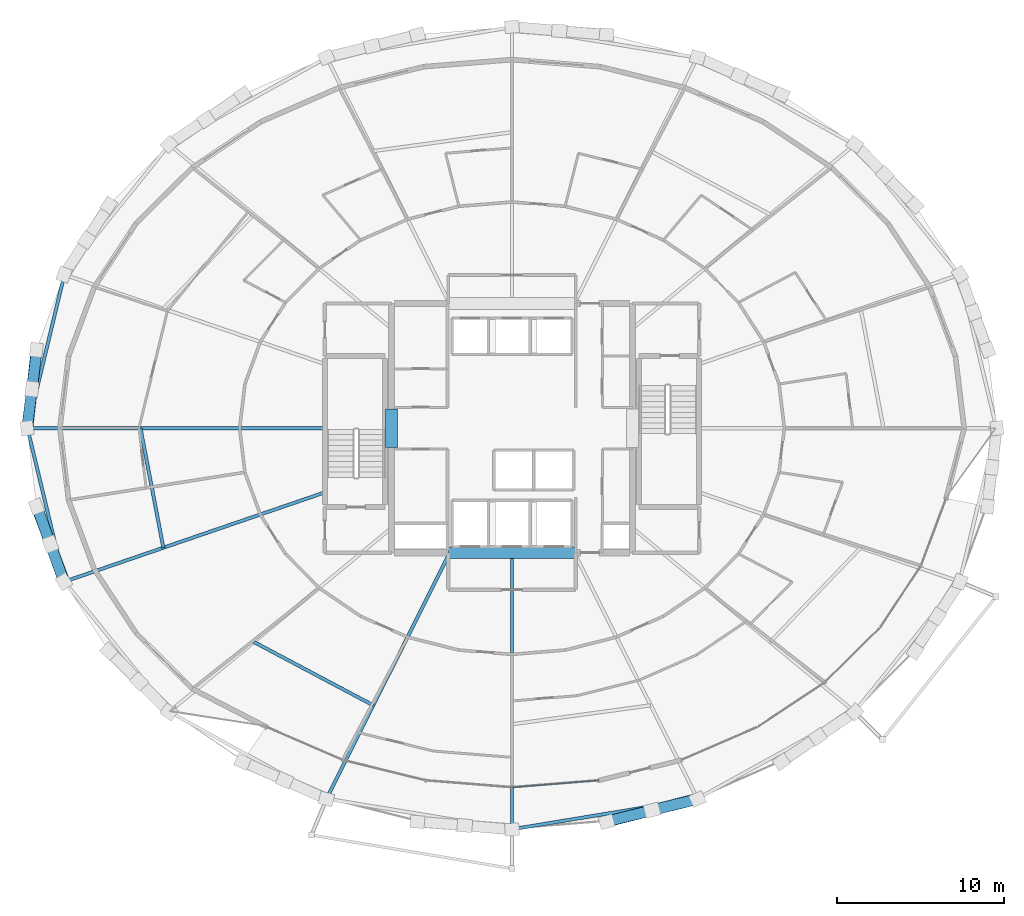
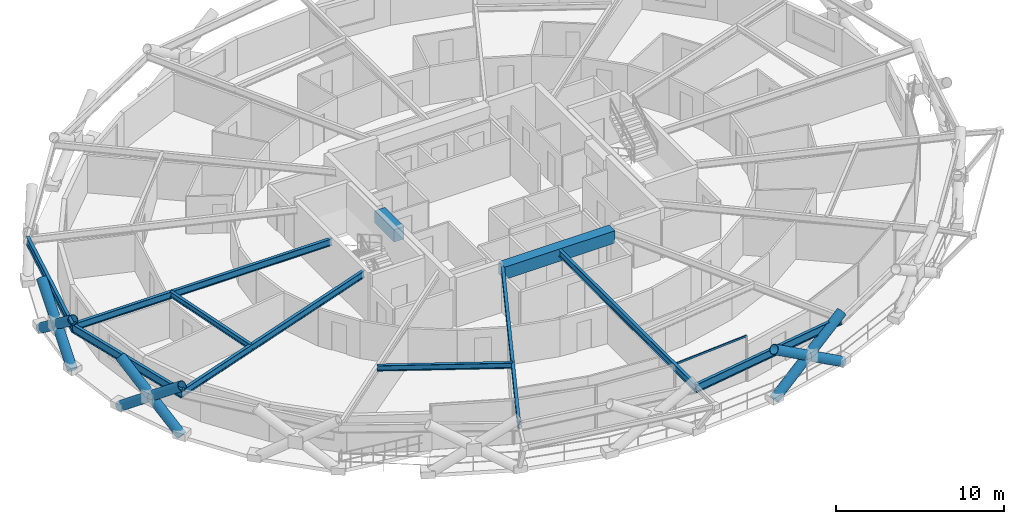
# One storey, part 5 of 20: 11 beams, 10 members, 1 element without a shape of its own.
"""IFC4 building model written with IfcOpenShell, lengths in metres."""

from ifc_helpers import new_model, si_unit, direction, frame, origin, origin_2d, place, context, subcontext, project, spatial, rectangle, hollow_rectangle, hollow_circle, i_section, extrude, material, layer, layer_set, material_profile, profile_set, type_object, element, aggregate, save


model = new_model("IFC4")

# Units and contexts
model_context = context("Model", 3, precision=1e-05, world=origin(), true_north=direction((0.0, 1.0)))
body_context = subcontext(model_context, "Body", "Model", "MODEL_VIEW")
ifc_project = project(units=[si_unit("LENGTHUNIT", "METRE"), si_unit("AREAUNIT", "SQUARE_METRE"), si_unit("VOLUMEUNIT", "CUBIC_METRE"), si_unit("PLANEANGLEUNIT", "RADIAN"), si_unit("MASSUNIT", "GRAM", prefix="KILO")], contexts=[model_context])

# Site, building, storey
site_placement = place(None, origin())
site = spatial("IfcSite", under=ifc_project, at=site_placement, CompositionType="ELEMENT")
building_placement = place(site_placement, origin())
building = spatial("IfcBuilding", under=site, at=building_placement, Name="Veldorina Hangang Commons", CompositionType="ELEMENT")
storey_placement = place(building_placement, frame((0.0, 0.0, 84.39990234375)))
storey = spatial("IfcBuildingStorey", under=building, at=storey_placement, Name="L21", CompositionType="ELEMENT", Elevation=84.39990234375)

# Beams
ifc_material_1 = material(Name="Concrete C70/85", Category="concrete")
ifc_material_profile_1 = material_profile(ifc_material_1, rectangle(XDim=0.699951171875, YDim=0.89990234375, at=origin_2d()), Name="RC-CB-700x900")
ifc_profile_set_1 = profile_set([ifc_material_profile_1], Name="Concrete C70/85")
beam_type_1 = type_object("IfcBeamType", Name="BM-CB900", PredefinedType="LINTEL", material=ifc_profile_set_1)
beam_1_placement = place(storey_placement, frame((24.800048828125, 22.85009765625, 2.89013671875), z_axis=(0.0, 1.0, 0.0), x_axis=(-1.0, 0.0, 0.0)))
element("IfcBeam", 1, at=beam_1_placement, inside=storey, type_object=beam_type_1, Name="L21 W core coupling lintel beam", PredefinedType="LINTEL", context=body_context, shape_type="SweptSolid", body=[
    extrude(rectangle(XDim=0.699951171875, YDim=0.89990234375, at=origin_2d()), origin(), (0.0, 0.0, 1.0), 2.2998046875),
])
beam_2_placement = place(storey_placement, frame((28.199951171875, 16.550048828125, 2.89013671875), z_axis=(1.0, 0.0, 0.0), x_axis=(0.0, 1.0, 0.0)))
element("IfcBeam", 2, at=beam_2_placement, inside=storey, type_object=beam_type_1, Name="L21 south core coupling beam", PredefinedType="LINTEL", context=body_context, shape_type="SweptSolid", body=[
    extrude(rectangle(XDim=0.699951171875, YDim=0.89990234375, at=origin_2d()), origin(), (0.0, 0.0, 1.0), 7.60009765625),
])
ifc_material_2 = material(Name="Steel SM420-TMC", Category="steel")
ifc_material_profile_2 = material_profile(ifc_material_2, i_section(OverallWidth=0.199951171875, OverallDepth=0.5, WebThickness=0.010009765625, FlangeThickness=0.01611328125, FilletRadius=0.01611328125, at=origin_2d()), Name="H-500x200x10x16")
ifc_profile_set_2 = profile_set([ifc_material_profile_2], Name="Steel SM420-TMC")
beam_type_2 = type_object("IfcBeamType", Name="BM-FG500", PredefinedType="BEAM", material=ifc_profile_set_2)
beam_3_placement = place(storey_placement, frame((20.820068359375, 24.0, 3.090087890625), z_axis=(-1.0, 0.0, 0.0), x_axis=(0.0, -1.0, 0.0)))
element("IfcBeam", 3, at=beam_3_placement, inside=storey, type_object=beam_type_2, Name="L21 radial floor girder 09", PredefinedType="BEAM", context=body_context, shape_type="SweptSolid", body=[
    extrude(i_section(OverallWidth=0.199951171875, OverallDepth=0.5, WebThickness=0.010009765625, FlangeThickness=0.01611328125, FilletRadius=0.01611328125, at=origin_2d()), origin(), (0.0, 0.0, 1.0), 17.77587890625),
])
beam_4_placement = place(storey_placement, frame((20.820068359375, 20.16650390625, 3.090087890625), z_axis=(-0.945941915866, -0.324336078487, 0.0), x_axis=(0.324336078487, -0.945941915866, 0.0)))
element("IfcBeam", 4, at=beam_4_placement, inside=storey, type_object=beam_type_2, Name="L21 radial floor girder 10", PredefinedType="BEAM", context=body_context, shape_type="SweptSolid", body=[
    extrude(i_section(OverallWidth=0.199951171875, OverallDepth=0.5, WebThickness=0.010009765625, FlangeThickness=0.01611328125, FilletRadius=0.01611328125, at=origin_2d()), origin(), (0.0, 0.0, 1.0), 16.461669921875),
])
beam_5_placement = place(storey_placement, frame((28.272216796875, 16.550048828125, 3.090087890625), z_axis=(-0.447492903879, -0.894287482289, 0.0), x_axis=(0.894287482289, -0.447492903879, 0.0)))
element("IfcBeam", 5, at=beam_5_placement, inside=storey, type_object=beam_type_2, Name="L21 radial floor girder 12", PredefinedType="BEAM", context=body_context, shape_type="SweptSolid", body=[
    extrude(i_section(OverallWidth=0.199951171875, OverallDepth=0.5, WebThickness=0.010009765625, FlangeThickness=0.01611328125, FilletRadius=0.01611328125, at=origin_2d()), origin(), (0.0, 0.0, 1.0), 16.431640625),
])
beam_6_placement = place(storey_placement, frame((32.0, 16.550048828125, 3.090087890625), z_axis=(0.0, -1.0, 0.0), x_axis=(1.0, 0.0, 0.0)))
element("IfcBeam", 6, at=beam_6_placement, inside=storey, type_object=beam_type_2, Name="L21 radial floor girder 13", PredefinedType="BEAM", context=body_context, shape_type="SweptSolid", body=[
    extrude(i_section(OverallWidth=0.199951171875, OverallDepth=0.5, WebThickness=0.010009765625, FlangeThickness=0.01611328125, FilletRadius=0.01611328125, at=origin_2d()), origin(), (0.0, 0.0, 1.0), 16.519287109375),
])
ifc_material_3 = material(Name="Steel SM355-TMC", Category="steel")
ifc_material_profile_3 = material_profile(ifc_material_3, i_section(OverallWidth=0.199951171875, OverallDepth=0.39990234375, WebThickness=0.008056640625, FlangeThickness=0.012939453125, FilletRadius=0.012939453125, at=origin_2d()), Name="H-400x200x8x13")
ifc_profile_set_3 = profile_set([ifc_material_profile_3], Name="Steel SM355-TMC")
beam_type_3 = type_object("IfcBeamType", Name="BM-JST400", PredefinedType="JOIST", material=ifc_profile_set_3)
beam_7_placement = place(storey_placement, frame((9.798828125, 24.0, 3.14013671875), z_axis=(0.187904860996, -0.982187234296, 0.0), x_axis=(0.982187234296, 0.187904860996, 0.0)))
element("IfcBeam", 7, at=beam_7_placement, inside=storey, type_object=beam_type_3, Name="L21 secondary floor joist 09", PredefinedType="JOIST", context=body_context, shape_type="SweptSolid", body=[
    extrude(i_section(OverallWidth=0.199951171875, OverallDepth=0.39990234375, WebThickness=0.008056640625, FlangeThickness=0.012939453125, FilletRadius=0.012939453125, at=origin_2d()), origin(), (0.0, 0.0, 1.0), 7.2734375),
])
beam_8_placement = place(storey_placement, frame((16.569580078125, 11.226806640625, 3.14013671875), z_axis=(0.883495427021, -0.468439783145, 0.0), x_axis=(0.468439783145, 0.883495427021, 0.0)))
element("IfcBeam", 8, at=beam_8_placement, inside=storey, type_object=beam_type_3, Name="L21 secondary floor joist 11", PredefinedType="JOIST", context=body_context, shape_type="SweptSolid", body=[
    extrude(i_section(OverallWidth=0.199951171875, OverallDepth=0.39990234375, WebThickness=0.008056640625, FlangeThickness=0.012939453125, FilletRadius=0.012939453125, at=origin_2d()), origin(), (0.0, 0.0, 1.0), 8.08544921875),
])
ifc_material_profile_4 = material_profile(ifc_material_2, i_section(OverallWidth=0.199951171875, OverallDepth=0.60009765625, WebThickness=0.010986328125, FlangeThickness=0.01708984375, FilletRadius=0.01806640625, at=origin_2d()), Name="H-600x200x11x17")
ifc_profile_set_4 = profile_set([ifc_material_profile_4], Name="Steel SM420-TMC")
beam_type_4 = type_object("IfcBeamType", Name="BM-RB600", PredefinedType="BEAM", material=ifc_profile_set_4)
for number, where, z_axis, x_axis, name in (
    (9, (5.248291015625, 33.172607421875, 3.0400390625), (-0.233641136249, -0.97232289876, 0.0), (0.97232289876, -0.233641136249, 0.0), "L21 perimeter hoop ring beam 14"),
    (10, (3.044189453125, 24.0, 3.0400390625), (0.233641136249, -0.97232289876, 0.0), (0.97232289876, 0.233641136249, 0.0), "L21 perimeter hoop ring beam 16"),
):
    element("IfcBeam", number, at=place(storey_placement, frame(where, z_axis=z_axis, x_axis=x_axis)), inside=storey, type_object=beam_type_4, Name=name, PredefinedType="BEAM", context=body_context, shape_type="SweptSolid", body=[
        extrude(i_section(OverallWidth=0.199951171875, OverallDepth=0.60009765625, WebThickness=0.010986328125, FlangeThickness=0.01708984375, FilletRadius=0.01806640625, at=origin_2d()), origin(), (0.0, 0.0, 1.0), 9.43359375),
    ])
beam_9_placement = place(storey_placement, frame((32.0, 0.03076171875, 3.0400390625), z_axis=(0.986711114759, 0.162484386977, 0.0), x_axis=(-0.162484386977, 0.986711114759, 0.0)))
element("IfcBeam", 11, at=beam_9_placement, inside=storey, type_object=beam_type_4, Name="L21 perimeter hoop ring beam 24", PredefinedType="BEAM", context=body_context, shape_type="SweptSolid", body=[
    extrude(i_section(OverallWidth=0.199951171875, OverallDepth=0.60009765625, WebThickness=0.010986328125, FlangeThickness=0.01708984375, FilletRadius=0.01806640625, at=origin_2d()), origin(), (0.0, 0.0, 1.0), 11.22998046875),
])

# Curtain wall, member
ifc_material_4 = material(Name="Glass Low-E Triple IGU", Category="glass")
ifc_layer = layer(ifc_material_4, 0.179931640625)
ifc_layer_set = layer_set([ifc_layer], Name="Glass Low-E Triple IGU")
curtain_wall_type = type_object("IfcCurtainWallType", Name="CW-SYS-Z1", PredefinedType="NOTDEFINED", material=ifc_layer_set)
curtain_wall_placement = place(storey_placement, origin())
curtain_wall = element("IfcCurtainWall", 12, at=curtain_wall_placement, inside=storey, type_object=curtain_wall_type, Name="L21 unitised curtain wall CW-L21-R1", PredefinedType="NOTDEFINED")
ifc_material_5 = material(Name="Aluminium Anodized AA6063-T6", Category="aluminium")
ifc_material_profile_5 = material_profile(ifc_material_5, hollow_rectangle(XDim=0.06005859375, YDim=0.139892578125, WallThickness=0.00341796875, at=origin_2d()), Name="ALU-RHS-140x60x3.5")
ifc_profile_set_5 = profile_set([ifc_material_profile_5], Name="Aluminium Anodized AA6063-T6")
member_type_1 = type_object("IfcMemberType", Name="CW-TRN-140", PredefinedType="USERDEFINED", material=ifc_profile_set_5)
member_1_placement = place(storey_placement, frame((32.0, 2.53466796875, 3.260009765625), z_axis=(0.996824416509, 0.079630915172, 0.0), x_axis=(-0.079630915172, 0.996824416509, 0.0)))
member_1 = element("IfcMember", 13, at=member_1_placement, type_object=member_type_1, Name="CW-L21-R1 facet 4 transom 1", ObjectType="TRANSOM", PredefinedType="USERDEFINED", context=body_context, shape_type="SweptSolid", body=[
    extrude(hollow_rectangle(XDim=0.06005859375, YDim=0.139892578125, WallThickness=0.00341796875, at=origin_2d()), origin(), (0.0, 0.0, 1.0), 5.17822265625),
])
aggregate(curtain_wall, [member_1])

# Members
ifc_material_6 = material(Name="Steel SM460-TMC", Category="steel")
ifc_material_profile_6 = material_profile(ifc_material_6, hollow_circle(Radius=0.324951171875, WallThickness=0.031982421875, at=origin_2d()), Name="CHS-650x32")
ifc_profile_set_6 = profile_set([ifc_material_profile_6], Name="Steel SM460-TMC")
member_type_2 = type_object("IfcMemberType", Name="DG-CHS650", PredefinedType="BRACE", material=ifc_profile_set_6)
member_2_placement = place(storey_placement, frame((3.577880859375, 28.67919921875, 0.0), z_axis=(-0.089335342739, -0.789396578577, 0.607348531133), x_axis=(0.993657231812, -0.112451348002, 0.0)))
element("IfcMember", 14, at=member_2_placement, inside=storey, type_object=member_type_2, Name="L21 continuous perimeter diagrid brace 15", PredefinedType="BRACE", context=body_context, shape_type="SweptSolid", body=[
    extrude(hollow_circle(Radius=0.324951171875, WallThickness=0.031982421875, at=origin_2d()), origin(), (0.0, 0.0, 1.0), 5.927490234375),
])
member_3_placement = place(storey_placement, frame((3.02099609375, 24.0, 0.0), z_axis=(0.098446039913, 0.788473759474, 0.607138787961), x_axis=(-0.992295397538, 0.123894487468, 0.0)))
element("IfcMember", 15, at=member_3_placement, inside=storey, type_object=member_type_2, Name="L21 split perimeter diagrid lower brace 16", PredefinedType="BRACE", context=body_context, shape_type="SweptSolid", body=[
    extrude(hollow_circle(Radius=0.324951171875, WallThickness=0.031982421875, at=origin_2d()), origin(), (0.0, 0.0, 1.0), 2.966064453125),
])
member_4_placement = place(storey_placement, frame((3.31298828125, 26.338623046875, 1.80078125), z_axis=(0.098357185221, 0.788505005805, 0.607112608941), x_axis=(-0.992309741736, 0.12377954781, 0.0)))
element("IfcMember", 16, at=member_4_placement, inside=storey, type_object=member_type_2, Name="L21 split perimeter diagrid upper brace 16", PredefinedType="BRACE", context=body_context, shape_type="SweptSolid", body=[
    extrude(hollow_circle(Radius=0.324951171875, WallThickness=0.031982421875, at=origin_2d()), origin(), (0.0, 0.0, 1.0), 2.963623046875),
])
member_5_placement = place(storey_placement, frame((3.577880859375, 19.32080078125, 0.0), z_axis=(0.279270856018, -0.74928313659, 0.600485278921), x_axis=(0.937030491303, 0.349247560291, 0.0)))
element("IfcMember", 17, at=member_5_placement, inside=storey, type_object=member_type_2, Name="L21 continuous perimeter diagrid brace 17", PredefinedType="BRACE", context=body_context, shape_type="SweptSolid", body=[
    extrude(hollow_circle(Radius=0.324951171875, WallThickness=0.031982421875, at=origin_2d()), origin(), (0.0, 0.0, 1.0), 5.995361328125),
])
member_6_placement = place(storey_placement, frame((5.226806640625, 14.8212890625, 0.0), z_axis=(-0.27088617834, 0.751863983564, 0.601100015475), x_axis=(-0.940801585825, -0.338957779242, 0.0)))
element("IfcMember", 18, at=member_6_placement, inside=storey, type_object=member_type_2, Name="L21 split perimeter diagrid lower brace 18", PredefinedType="BRACE", context=body_context, shape_type="SweptSolid", body=[
    extrude(hollow_circle(Radius=0.324951171875, WallThickness=0.031982421875, at=origin_2d()), origin(), (0.0, 0.0, 1.0), 2.995849609375),
])
member_7_placement = place(storey_placement, frame((4.415283203125, 17.07373046875, 1.80078125), z_axis=(-0.270855414533, 0.751886801138, 0.60108533728), x_axis=(-0.940817140557, -0.338914602863, 0.0)))
element("IfcMember", 19, at=member_7_placement, inside=storey, type_object=member_type_2, Name="L21 split perimeter diagrid upper brace 18", PredefinedType="BRACE", context=body_context, shape_type="SweptSolid", body=[
    extrude(hollow_circle(Radius=0.324951171875, WallThickness=0.031982421875, at=origin_2d()), origin(), (0.0, 0.0, 1.0), 2.993408203125),
])
member_8_placement = place(storey_placement, frame((37.653564453125, 0.4755859375, 0.0), z_axis=(0.815088999399, 0.207696589435, 0.540825341304), x_axis=(-0.246924227019, 0.96903479097, 0.0)))
element("IfcMember", 20, at=member_8_placement, inside=storey, type_object=member_type_2, Name="L21 continuous perimeter diagrid brace 25", PredefinedType="BRACE", context=body_context, shape_type="SweptSolid", body=[
    extrude(hollow_circle(Radius=0.324951171875, WallThickness=0.031982421875, at=origin_2d()), origin(), (0.0, 0.0, 1.0), 6.65673828125),
])
member_9_placement = place(storey_placement, frame((43.08984375, 1.840576171875, 0.0), z_axis=(-0.816791311222, -0.202036810435, 0.540400852277), x_axis=(0.240117615109, -0.970743802924, 0.0)))
element("IfcMember", 21, at=member_9_placement, inside=storey, type_object=member_type_2, Name="L21 split perimeter diagrid lower brace 26", PredefinedType="BRACE", context=body_context, shape_type="SweptSolid", body=[
    extrude(hollow_circle(Radius=0.324951171875, WallThickness=0.031982421875, at=origin_2d()), origin(), (0.0, 0.0, 1.0), 3.332763671875),
])
member_10_placement = place(storey_placement, frame((40.36767578125, 1.167236328125, 1.801025390625), z_axis=(-0.816805962304, -0.202093296715, 0.540357584722), x_axis=(0.240176816373, -0.970729157323, 0.0)))
element("IfcMember", 22, at=member_10_placement, inside=storey, type_object=member_type_2, Name="L21 split perimeter diagrid upper brace 26", PredefinedType="BRACE", context=body_context, shape_type="SweptSolid", body=[
    extrude(hollow_circle(Radius=0.324951171875, WallThickness=0.031982421875, at=origin_2d()), origin(), (0.0, 0.0, 1.0), 3.329345703125),
])

save(model, "model.ifc")
